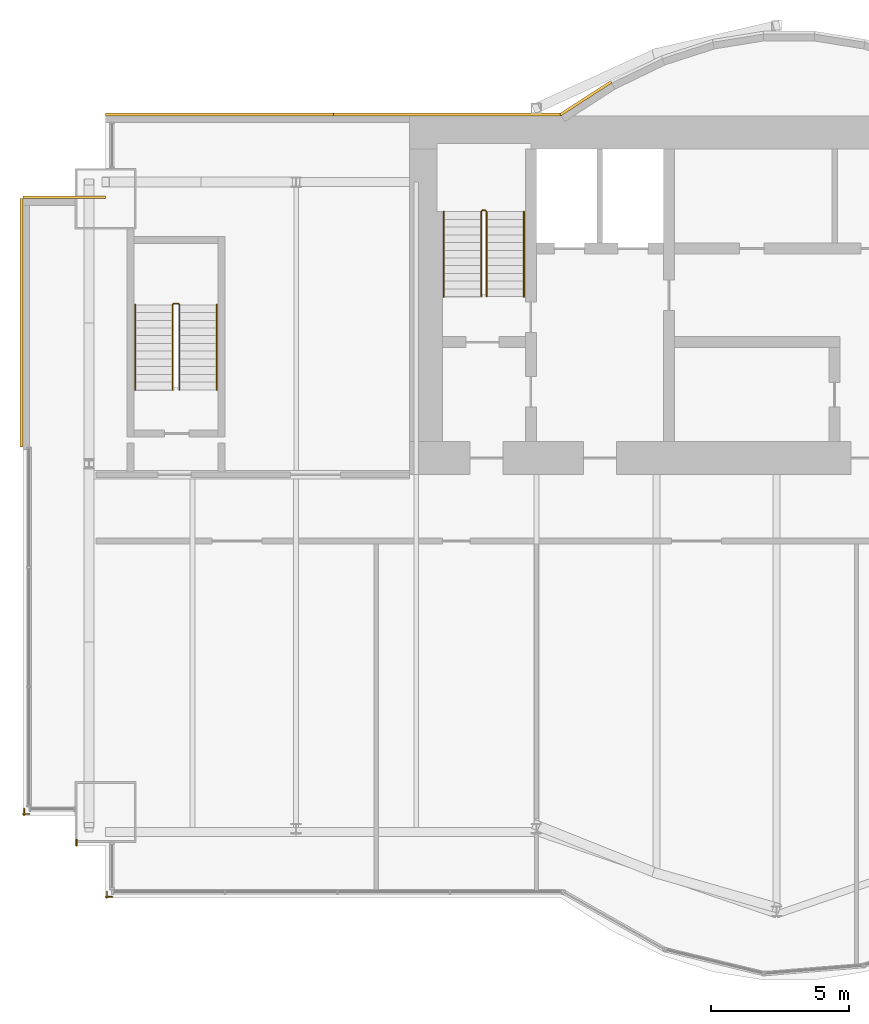
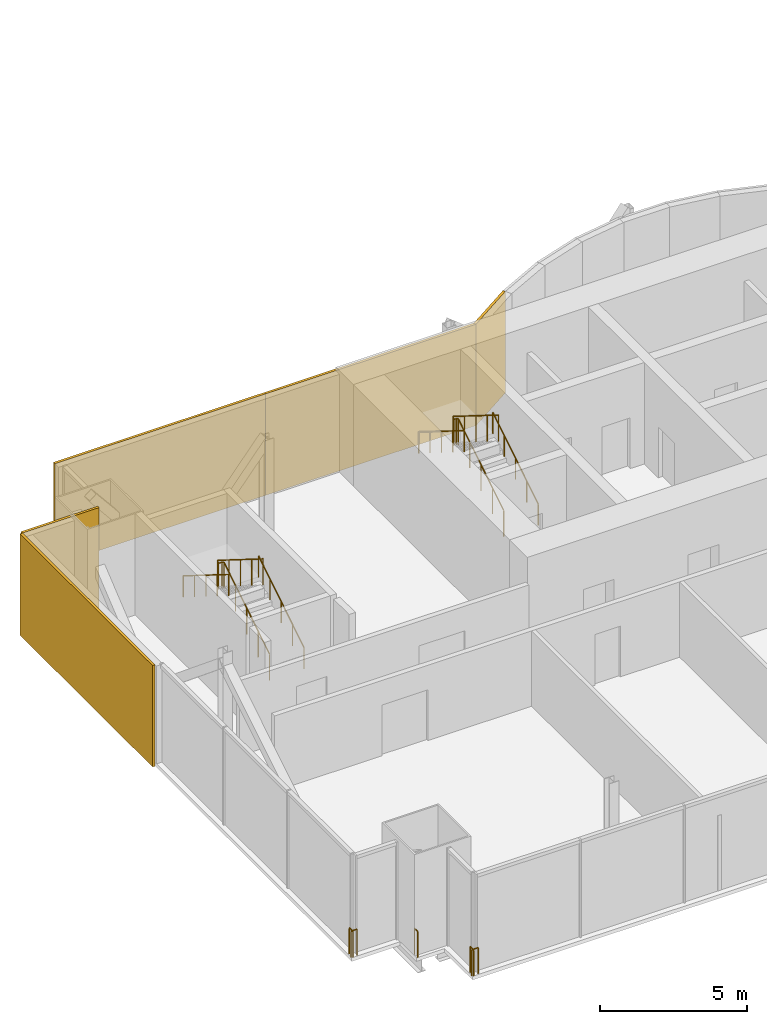
# One storey, part 17 of 19: 9 railings, 5 coverings.
"""IFC4 building model written with IfcOpenShell, lengths in metres."""

from ifc_helpers import new_model, si_unit, direction, frame, origin, origin_2d, place, context, subcontext, project, spatial, rectangle, circle, extrude, material, layer, layer_set, type_object, element, save


model = new_model("IFC4")

# Units and contexts
model_context = context("Model", 3, precision=1e-05, world=origin(), true_north=direction((0.0, 1.0)))
body_context = subcontext(model_context, "Body", "Model", "MODEL_VIEW")
ifc_project = project(units=[si_unit("LENGTHUNIT", "METRE"), si_unit("AREAUNIT", "SQUARE_METRE"), si_unit("VOLUMEUNIT", "CUBIC_METRE"), si_unit("PLANEANGLEUNIT", "RADIAN"), si_unit("MASSUNIT", "GRAM", prefix="KILO")], contexts=[model_context])

# Site, building, storey
site_placement = place(None, origin())
site = spatial("IfcSite", under=ifc_project, at=site_placement, CompositionType="ELEMENT")
building_placement = place(site_placement, origin())
building = spatial("IfcBuilding", under=site, at=building_placement, Name="Bicima Exchange Tower", CompositionType="ELEMENT")
storey_placement = place(building_placement, frame((0.0, 0.0, 275.0)))
storey = spatial("IfcBuildingStorey", under=building, at=storey_placement, Name="L62", CompositionType="ELEMENT", Elevation=275.0)

# Coverings
ifc_material_1 = material(Name="Bronze metal cladding")
ifc_layer_1 = layer(ifc_material_1, 0.004)
ifc_material_2 = material(Name="Ventilated cavity")
ifc_layer_2 = layer(ifc_material_2, 0.06)
ifc_material_3 = material(Name="Galvanised steel rail and mineral wool", Category="steel")
ifc_layer_3 = layer(ifc_material_3, 0.036)
ifc_layer_set = layer_set([ifc_layer_1, ifc_layer_2, ifc_layer_3], Name="Ventilated cavity")
covering_type = type_object("IfcCoveringType", Name="Bronze metal cladding panel 100", PredefinedType="CLADDING", material=ifc_layer_set)
covering_1_placement = place(storey_placement, frame((-15.610595703125, 0.634521484375, -0.14990234375), z_axis=(0.0, 0.0, 1.0), x_axis=(-0.839790466384, -0.542910648791, 0.0)))
element("IfcCovering", 1, at=covering_1_placement, inside=storey, type_object=covering_type, Name="Bronze cladding L62 19.1", PredefinedType="CLADDING", context=body_context, shape_type="SweptSolid", body=[
    extrude(rectangle(XDim=2.18310546875, YDim=0.10009765625, at=origin_2d()), origin(), (0.0, 0.0, 1.0), 4.199951171875),
])
for number, where, z_axis, x_axis, name in (
    (2, (-20.625, 0.050048828125, -0.14990234375), (0.0, 0.0, 1.0), (-1.0, 0.0, 0.0), "Bronze cladding L62 20.1"),
    (3, (-28.875, 0.050048828125, -0.14990234375), (0.0, 0.0, 1.0), (-1.0, 0.0, 0.0), "Bronze cladding L62 20.2"),
):
    element("IfcCovering", number, at=place(storey_placement, frame(where, z_axis=z_axis, x_axis=x_axis)), inside=storey, type_object=covering_type, Name=name, PredefinedType="CLADDING", context=body_context, shape_type="SweptSolid", body=[
        extrude(rectangle(XDim=8.25, YDim=0.10009765625, at=origin_2d()), origin(), (0.0, 0.0, 1.0), 4.199951171875),
    ])
covering_2_placement = place(storey_placement, frame((-34.5, -2.949951171875, -0.14990234375), z_axis=(0.0, 0.0, 1.0), x_axis=(-1.0, 0.0, 0.0)))
element("IfcCovering", 4, at=covering_2_placement, inside=storey, type_object=covering_type, Name="Bronze cladding L62 22.1", PredefinedType="CLADDING", context=body_context, shape_type="SweptSolid", body=[
    extrude(rectangle(XDim=3.0, YDim=0.10009765625, at=origin_2d()), origin(), (0.0, 0.0, 1.0), 4.199951171875),
])
covering_3_placement = place(storey_placement, frame((-36.050048828125, -7.5, -0.14990234375), z_axis=(0.0, 0.0, 1.0), x_axis=(0.0, -1.0, 0.0)))
element("IfcCovering", 5, at=covering_3_placement, inside=storey, type_object=covering_type, Name="Bronze cladding L62 23.1", PredefinedType="CLADDING", context=body_context, shape_type="SweptSolid", body=[
    extrude(rectangle(XDim=9.0, YDim=0.10009765625, at=origin_2d()), origin(), (0.0, 0.0, 1.0), 4.199951171875),
])

# Railings
ifc_material_4 = material(Name="Stainless steel and bonded safety glass", Category="steel")
railing_type_1 = type_object("IfcRailingType", Name="Edge guard 1100", PredefinedType="GUARDRAIL", material=ifc_material_4)
railing_1_placement = place(storey_placement, frame((-35.762939453125, -25.285888671875, 0.0)))
element("IfcRailing", 6, at=railing_1_placement, inside=storey, type_object=railing_type_1, Name="Edge guard L62 319", PredefinedType="GUARDRAIL", context=body_context, shape_type="SweptSolid", body=[
    extrude(circle(Radius=0.02392578125, at=origin_2d()), frame((0.0, 0.0, 1.076171875), z_axis=(-1.0, 0.0, 0.0), x_axis=(0.0, -1.0, 0.0)), (0.0, 0.0, 1.0), 0.237060546875),
    extrude(circle(Radius=0.02392578125, at=origin_2d()), frame((-0.237060546875, 0.0, 1.076171875), z_axis=(0.707106781187, -0.707106781187, 0.0), x_axis=(0.707106781187, 0.707106781187, 0.0)), (0.0, 0.0, 1.0), 0.07080078125),
    extrude(circle(Radius=0.02392578125, at=origin_2d()), frame((-0.18701171875, -0.050048828125, 1.076171875), z_axis=(0.0, 1.0, 0.0), x_axis=(-1.0, 0.0, 0.0)), (0.0, 0.0, 1.0), 0.248046875),
    extrude(circle(Radius=0.02099609375, at=origin_2d()), origin(), (0.0, 0.0, 1.0), 1.052001953125),
    extrude(circle(Radius=0.02099609375, at=origin_2d()), frame((-0.237060546875, 0.0, 0.0)), (0.0, 0.0, 1.0), 1.052001953125),
    extrude(circle(Radius=0.02099609375, at=origin_2d()), frame((-0.18701171875, -0.050048828125, 0.0)), (0.0, 0.0, 1.0), 1.052001953125),
    extrude(circle(Radius=0.02099609375, at=origin_2d()), frame((-0.18701171875, 0.197998046875, 0.0)), (0.0, 0.0, 1.0), 1.052001953125),
])
railing_2_placement = place(storey_placement, frame((-32.75, -28.285888671875, 0.0)))
element("IfcRailing", 7, at=railing_2_placement, inside=storey, type_object=railing_type_1, Name="Edge guard L62 323", PredefinedType="GUARDRAIL", context=body_context, shape_type="SweptSolid", body=[
    extrude(circle(Radius=0.02392578125, at=origin_2d()), frame((0.0, 0.0, 1.076171875), z_axis=(-1.0, 0.0, 0.0), x_axis=(0.0, -1.0, 0.0)), (0.0, 0.0, 1.0), 0.25),
    extrude(circle(Radius=0.02392578125, at=origin_2d()), frame((-0.25, 0.0, 1.076171875), z_axis=(0.707106781187, -0.707106781187, 0.0), x_axis=(0.707106781187, 0.707106781187, 0.0)), (0.0, 0.0, 1.0), 0.07080078125),
    extrude(circle(Radius=0.02392578125, at=origin_2d()), frame((-0.199951171875, -0.050048828125, 1.076171875), z_axis=(0.0, 1.0, 0.0), x_axis=(-1.0, 0.0, 0.0)), (0.0, 0.0, 1.0), 0.238037109375),
    extrude(circle(Radius=0.02099609375, at=origin_2d()), origin(), (0.0, 0.0, 1.0), 1.052001953125),
    extrude(circle(Radius=0.02099609375, at=origin_2d()), frame((-0.25, 0.0, 0.0)), (0.0, 0.0, 1.0), 1.052001953125),
    extrude(circle(Radius=0.02099609375, at=origin_2d()), frame((-0.199951171875, -0.050048828125, 0.0)), (0.0, 0.0, 1.0), 1.052001953125),
    extrude(circle(Radius=0.02099609375, at=origin_2d()), frame((-0.199951171875, 0.18798828125, 0.0)), (0.0, 0.0, 1.0), 1.052001953125),
])
railing_3_placement = place(storey_placement, frame((-34.050048828125, -26.43603515625, 0.0)))
element("IfcRailing", 8, at=railing_3_placement, inside=storey, type_object=railing_type_1, Name="Edge guard L62 324", PredefinedType="GUARDRAIL", context=body_context, shape_type="SweptSolid", body=[
    extrude(circle(Radius=0.02392578125, at=origin_2d()), frame((0.0, 0.0, 1.076171875), z_axis=(0.0, 1.0, 0.0), x_axis=(-1.0, 0.0, 0.0)), (0.0, 0.0, 1.0), 0.219970703125),
    extrude(circle(Radius=0.02099609375, at=origin_2d()), origin(), (0.0, 0.0, 1.0), 1.052001953125),
    extrude(circle(Radius=0.02099609375, at=origin_2d()), frame((0.0, 0.219970703125, 0.0)), (0.0, 0.0, 1.0), 1.052001953125),
])
ifc_material_5 = material(Name="Stainless steel", Category="steel")
railing_type_2 = type_object("IfcRailingType", Name="Stair guard 1100", PredefinedType="GUARDRAIL", material=ifc_material_5)
railing_4_placement = place(storey_placement, frame((-19.199951171875, -6.550048828125, 0.175048828125)))
element("IfcRailing", 9, at=railing_4_placement, inside=storey, type_object=railing_type_2, Name="L62 ST-W stair guard 1", PredefinedType="GUARDRAIL", context=body_context, shape_type="SweptSolid", body=[
    extrude(circle(Radius=0.02392578125, at=origin_2d()), frame((0.0, 0.0, 1.076171875), z_axis=(0.0, 0.847998304005, 0.529998940003), x_axis=(-1.0, 0.0, 0.0)), (0.0, 0.0, 1.0), 3.632080078125),
    extrude(circle(Radius=0.02392578125, at=origin_2d()), frame((0.0, 3.080078125, 3.0009765625), z_axis=(-0.707106781187, 0.707106781187, 0.0), x_axis=(-0.707106781187, -0.707106781187, 0.0)), (0.0, 0.0, 1.0), 0.07080078125),
    extrude(circle(Radius=0.02392578125, at=origin_2d()), frame((-0.050048828125, 3.130126953125, 3.0009765625), z_axis=(-1.0, 0.0, 0.0), x_axis=(0.0, -1.0, 0.0)), (0.0, 0.0, 1.0), 0.10009765625),
    extrude(circle(Radius=0.02392578125, at=origin_2d()), frame((-0.150146484375, 3.130126953125, 3.0009765625), z_axis=(-0.264179342666, -0.265474339444, 0.927217692888), x_axis=(0.708833529934, -0.705375805398, 0.0)), (0.0, 0.0, 1.0), 0.1884765625),
    extrude(circle(Radius=0.02392578125, at=origin_2d()), frame((-0.199951171875, 3.080078125, 3.17578125), z_axis=(0.0, -0.847998304005, 0.529998940003), x_axis=(1.0, 0.0, 0.0)), (0.0, 0.0, 1.0), 3.632080078125),
    extrude(circle(Radius=0.02099609375, at=origin_2d()), origin(), (0.0, 0.0, 1.0), 1.052001953125),
    extrude(circle(Radius=0.02099609375, at=origin_2d()), frame((0.0, 0.77001953125, 0.481201171875)), (0.0, 0.0, 1.0), 1.052001953125),
    extrude(circle(Radius=0.02099609375, at=origin_2d()), frame((0.0, 1.5400390625, 0.96240234375)), (0.0, 0.0, 1.0), 1.052001953125),
    extrude(circle(Radius=0.02099609375, at=origin_2d()), frame((0.0, 2.31005859375, 1.44384765625)), (0.0, 0.0, 1.0), 1.052001953125),
    extrude(circle(Radius=0.02099609375, at=origin_2d()), frame((0.0, 3.080078125, 1.925048828125)), (0.0, 0.0, 1.0), 1.052001953125),
    extrude(circle(Radius=0.02099609375, at=origin_2d()), frame((-0.050048828125, 3.130126953125, 1.925048828125)), (0.0, 0.0, 1.0), 1.052001953125),
    extrude(circle(Radius=0.02099609375, at=origin_2d()), frame((-0.150146484375, 3.130126953125, 1.925048828125)), (0.0, 0.0, 1.0), 1.052001953125),
    extrude(circle(Radius=0.02099609375, at=origin_2d()), frame((-0.199951171875, 3.080078125, 2.099853515625)), (0.0, 0.0, 1.0), 1.052001953125),
    extrude(circle(Radius=0.02099609375, at=origin_2d()), frame((-0.199951171875, 2.31005859375, 2.5810546875)), (0.0, 0.0, 1.0), 1.052001953125),
    extrude(circle(Radius=0.02099609375, at=origin_2d()), frame((-0.199951171875, 1.5400390625, 3.0625)), (0.0, 0.0, 1.0), 1.052001953125),
    extrude(circle(Radius=0.02099609375, at=origin_2d()), frame((-0.199951171875, 0.77001953125, 3.543701171875)), (0.0, 0.0, 1.0), 1.052001953125),
    extrude(circle(Radius=0.02099609375, at=origin_2d()), frame((-0.199951171875, 0.0, 4.02490234375)), (0.0, 0.0, 1.0), 1.052001953125),
])
railing_5_placement = place(storey_placement, frame((-30.324951171875, -9.925048828125, 0.175048828125)))
element("IfcRailing", 10, at=railing_5_placement, inside=storey, type_object=railing_type_2, Name="L62 ST-WW stair guard 1", PredefinedType="GUARDRAIL", context=body_context, shape_type="SweptSolid", body=[
    extrude(circle(Radius=0.02392578125, at=origin_2d()), frame((0.0, 0.0, 1.076171875), z_axis=(0.0, 0.847998304005, 0.529998940003), x_axis=(-1.0, 0.0, 0.0)), (0.0, 0.0, 1.0), 3.632080078125),
    extrude(circle(Radius=0.02392578125, at=origin_2d()), frame((0.0, 3.080078125, 3.0009765625), z_axis=(-0.707106781187, 0.707106781187, 0.0), x_axis=(-0.707106781187, -0.707106781187, 0.0)), (0.0, 0.0, 1.0), 0.07080078125),
    extrude(circle(Radius=0.02392578125, at=origin_2d()), frame((-0.050048828125, 3.130126953125, 3.0009765625), z_axis=(-1.0, 0.0, 0.0), x_axis=(0.0, -1.0, 0.0)), (0.0, 0.0, 1.0), 0.14990234375),
    extrude(circle(Radius=0.02392578125, at=origin_2d()), frame((-0.199951171875, 3.130126953125, 3.0009765625), z_axis=(-0.265383341853, -0.265383341853, 0.926899867156), x_axis=(0.707106781187, -0.707106781187, 0.0)), (0.0, 0.0, 1.0), 0.1884765625),
    extrude(circle(Radius=0.02392578125, at=origin_2d()), frame((-0.25, 3.080078125, 3.17578125), z_axis=(0.0, -0.847998304005, 0.529998940003), x_axis=(1.0, 0.0, 0.0)), (0.0, 0.0, 1.0), 3.632080078125),
    extrude(circle(Radius=0.02099609375, at=origin_2d()), origin(), (0.0, 0.0, 1.0), 1.052001953125),
    extrude(circle(Radius=0.02099609375, at=origin_2d()), frame((0.0, 0.77001953125, 0.481201171875)), (0.0, 0.0, 1.0), 1.052001953125),
    extrude(circle(Radius=0.02099609375, at=origin_2d()), frame((0.0, 1.5400390625, 0.96240234375)), (0.0, 0.0, 1.0), 1.052001953125),
    extrude(circle(Radius=0.02099609375, at=origin_2d()), frame((0.0, 2.31005859375, 1.44384765625)), (0.0, 0.0, 1.0), 1.052001953125),
    extrude(circle(Radius=0.02099609375, at=origin_2d()), frame((0.0, 3.080078125, 1.925048828125)), (0.0, 0.0, 1.0), 1.052001953125),
    extrude(circle(Radius=0.02099609375, at=origin_2d()), frame((-0.050048828125, 3.130126953125, 1.925048828125)), (0.0, 0.0, 1.0), 1.052001953125),
    extrude(circle(Radius=0.02099609375, at=origin_2d()), frame((-0.199951171875, 3.130126953125, 1.925048828125)), (0.0, 0.0, 1.0), 1.052001953125),
    extrude(circle(Radius=0.02099609375, at=origin_2d()), frame((-0.25, 3.080078125, 2.099853515625)), (0.0, 0.0, 1.0), 1.052001953125),
    extrude(circle(Radius=0.02099609375, at=origin_2d()), frame((-0.25, 2.31005859375, 2.5810546875)), (0.0, 0.0, 1.0), 1.052001953125),
    extrude(circle(Radius=0.02099609375, at=origin_2d()), frame((-0.25, 1.5400390625, 3.0625)), (0.0, 0.0, 1.0), 1.052001953125),
    extrude(circle(Radius=0.02099609375, at=origin_2d()), frame((-0.25, 0.77001953125, 3.543701171875)), (0.0, 0.0, 1.0), 1.052001953125),
    extrude(circle(Radius=0.02099609375, at=origin_2d()), frame((-0.25, 0.0, 4.02490234375)), (0.0, 0.0, 1.0), 1.052001953125),
])
railing_type_3 = type_object("IfcRailingType", Name="Stair handrail 900", PredefinedType="HANDRAIL", material=ifc_material_5)
railing_6_placement = place(storey_placement, frame((-17.85009765625, -6.550048828125, 0.175048828125)))
element("IfcRailing", 11, at=railing_6_placement, inside=storey, type_object=railing_type_3, Name="L62 ST-W stair handrail 1", PredefinedType="HANDRAIL", context=body_context, shape_type="SweptSolid", body=[
    extrude(circle(Radius=0.02392578125, at=origin_2d()), frame((0.0, 0.0, 0.8759765625), z_axis=(0.0, 0.847998304005, 0.529998940003), x_axis=(-1.0, 0.0, 0.0)), (0.0, 0.0, 1.0), 3.632080078125),
    extrude(circle(Radius=0.02099609375, at=origin_2d()), origin(), (0.0, 0.0, 1.0), 0.851806640625),
    extrude(circle(Radius=0.02099609375, at=origin_2d()), frame((0.0, 0.77001953125, 0.481201171875)), (0.0, 0.0, 1.0), 0.851806640625),
    extrude(circle(Radius=0.02099609375, at=origin_2d()), frame((0.0, 1.5400390625, 0.96240234375)), (0.0, 0.0, 1.0), 0.851806640625),
    extrude(circle(Radius=0.02099609375, at=origin_2d()), frame((0.0, 2.31005859375, 1.44384765625)), (0.0, 0.0, 1.0), 0.851806640625),
    extrude(circle(Radius=0.02099609375, at=origin_2d()), frame((0.0, 3.080078125, 1.925048828125)), (0.0, 0.0, 1.0), 0.851806640625),
])
railing_7_placement = place(storey_placement, frame((-20.75, -3.469970703125, 2.303955078125)))
element("IfcRailing", 12, at=railing_7_placement, inside=storey, type_object=railing_type_3, Name="L62 ST-W stair handrail 2", PredefinedType="HANDRAIL", context=body_context, shape_type="SweptSolid", body=[
    extrude(circle(Radius=0.02392578125, at=origin_2d()), frame((0.0, 0.0, 0.8759765625), z_axis=(0.0, -0.847998304005, 0.529998940003), x_axis=(1.0, 0.0, 0.0)), (0.0, 0.0, 1.0), 3.632080078125),
    extrude(circle(Radius=0.02099609375, at=origin_2d()), origin(), (0.0, 0.0, 1.0), 0.851806640625),
    extrude(circle(Radius=0.02099609375, at=origin_2d()), frame((0.0, -0.77001953125, 0.481201171875)), (0.0, 0.0, 1.0), 0.851806640625),
    extrude(circle(Radius=0.02099609375, at=origin_2d()), frame((0.0, -1.5400390625, 0.96240234375)), (0.0, 0.0, 1.0), 0.851806640625),
    extrude(circle(Radius=0.02099609375, at=origin_2d()), frame((0.0, -2.31005859375, 1.44384765625)), (0.0, 0.0, 1.0), 0.851806640625),
    extrude(circle(Radius=0.02099609375, at=origin_2d()), frame((0.0, -3.080078125, 1.925048828125)), (0.0, 0.0, 1.0), 0.851806640625),
])
railing_8_placement = place(storey_placement, frame((-28.97509765625, -9.925048828125, 0.175048828125)))
element("IfcRailing", 13, at=railing_8_placement, inside=storey, type_object=railing_type_3, Name="L62 ST-WW stair handrail 1", PredefinedType="HANDRAIL", context=body_context, shape_type="SweptSolid", body=[
    extrude(circle(Radius=0.02392578125, at=origin_2d()), frame((0.0, 0.0, 0.8759765625), z_axis=(0.0, 0.847998304005, 0.529998940003), x_axis=(-1.0, 0.0, 0.0)), (0.0, 0.0, 1.0), 3.632080078125),
    extrude(circle(Radius=0.02099609375, at=origin_2d()), origin(), (0.0, 0.0, 1.0), 0.851806640625),
    extrude(circle(Radius=0.02099609375, at=origin_2d()), frame((0.0, 0.77001953125, 0.481201171875)), (0.0, 0.0, 1.0), 0.851806640625),
    extrude(circle(Radius=0.02099609375, at=origin_2d()), frame((0.0, 1.5400390625, 0.96240234375)), (0.0, 0.0, 1.0), 0.851806640625),
    extrude(circle(Radius=0.02099609375, at=origin_2d()), frame((0.0, 2.31005859375, 1.44384765625)), (0.0, 0.0, 1.0), 0.851806640625),
    extrude(circle(Radius=0.02099609375, at=origin_2d()), frame((0.0, 3.080078125, 1.925048828125)), (0.0, 0.0, 1.0), 0.851806640625),
])
railing_9_placement = place(storey_placement, frame((-31.925048828125, -6.844970703125, 2.303955078125)))
element("IfcRailing", 14, at=railing_9_placement, inside=storey, type_object=railing_type_3, Name="L62 ST-WW stair handrail 2", PredefinedType="HANDRAIL", context=body_context, shape_type="SweptSolid", body=[
    extrude(circle(Radius=0.02392578125, at=origin_2d()), frame((0.0, 0.0, 0.8759765625), z_axis=(0.0, -0.847998304005, 0.529998940003), x_axis=(1.0, 0.0, 0.0)), (0.0, 0.0, 1.0), 3.632080078125),
    extrude(circle(Radius=0.02099609375, at=origin_2d()), origin(), (0.0, 0.0, 1.0), 0.851806640625),
    extrude(circle(Radius=0.02099609375, at=origin_2d()), frame((0.0, -0.77001953125, 0.481201171875)), (0.0, 0.0, 1.0), 0.851806640625),
    extrude(circle(Radius=0.02099609375, at=origin_2d()), frame((0.0, -1.5400390625, 0.96240234375)), (0.0, 0.0, 1.0), 0.851806640625),
    extrude(circle(Radius=0.02099609375, at=origin_2d()), frame((0.0, -2.31005859375, 1.44384765625)), (0.0, 0.0, 1.0), 0.851806640625),
    extrude(circle(Radius=0.02099609375, at=origin_2d()), frame((0.0, -3.080078125, 1.925048828125)), (0.0, 0.0, 1.0), 0.851806640625),
])

save(model, "model.ifc")
